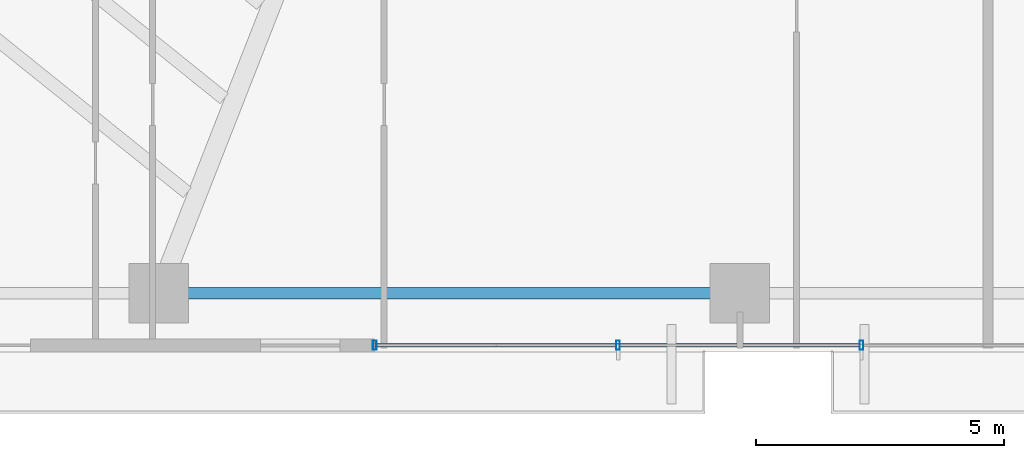
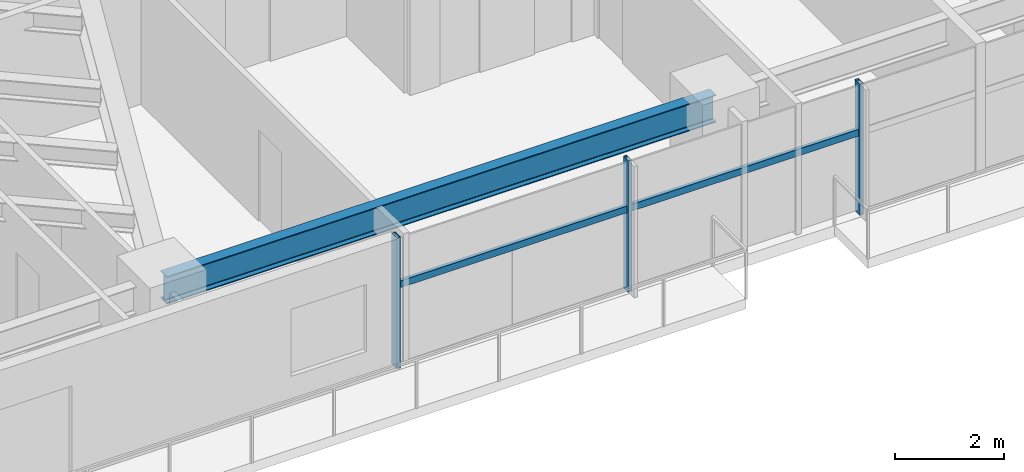
# One storey, part 6 of 25: 5 members, 1 beam, 1 element without a shape of its own.
"""IFC4 building model written with IfcOpenShell, lengths in metres."""

import ifcopenshell
import ifcopenshell.guid

model = None  # the IFC model being written
_history = None  # IfcOwnerHistory: only IFC2X3 demands one
_inside = {}  # id of a spatial element -> (the spatial element, [elements in it])
_under = {}  # id of a project, library or spatial element -> (it, [spatial elements below it])
_declared = {}  # id of a project -> (the project, [libraries it declares])
_typed = {}  # id of a type object -> (the type object, [elements of that type])
_made_of = {}  # id of a material, layer set ... -> (it, [elements and type objects made of it])


def new_model(schema):
    """Start an empty IFC model of exactly this schema.

    Asked for "IFC4X3", IfcOpenShell would pick the latest addendum, in which some entities
    have other attributes; the version numbers below select the first issue.
    IFC2X3 requires an IfcOwnerHistory on every rooted entity: one is made here for all.
    """
    global model, _history
    if schema == "IFC4X3":
        model = ifcopenshell.file(schema_version=(4, 3, 0, 0))
    else:
        model = ifcopenshell.file(schema=schema)
    _inside.clear()
    _under.clear()
    _declared.clear()
    _typed.clear()
    _made_of.clear()
    _history = None
    if model.schema == "IFC2X3":
        org = make("IfcOrganization", Name="unknown")
        user = make(
            "IfcPersonAndOrganization",
            ThePerson=make("IfcPerson", FamilyName="unknown"),
            TheOrganization=org,
        )
        app = make(
            "IfcApplication",
            ApplicationDeveloper=org,
            Version="unknown",
            ApplicationFullName="unknown",
            ApplicationIdentifier="unknown",
        )
        _history = make(
            "IfcOwnerHistory",
            OwningUser=user,
            OwningApplication=app,
            ChangeAction="ADDED",
            CreationDate=0,
        )
    return model


def make(cls, **values):
    """One entity of the class cls with the attributes given. An attribute that is None is left unset."""
    return model.create_entity(
        cls, **{name: value for name, value in values.items() if value is not None}
    )


def rooted(cls, **values):
    """An entity with a GlobalId (a new one), such as an element, a storey or a relation."""
    return make(cls, GlobalId=ifcopenshell.guid.new(), OwnerHistory=_history, **values)


def si_unit(unit_type, name, prefix=None):
    """IfcSIUnit, for example si_unit("LENGTHUNIT", "METRE", prefix="MILLI")."""
    return make("IfcSIUnit", UnitType=unit_type, Prefix=prefix, Name=name)


def assignment(units):
    """IfcUnitAssignment: the units of a project."""
    return None if units is None else make("IfcUnitAssignment", Units=units)


def point(xyz):
    """IfcCartesianPoint."""
    return None if xyz is None else make("IfcCartesianPoint", Coordinates=xyz)


def direction(xyz):
    """IfcDirection."""
    return None if xyz is None else make("IfcDirection", DirectionRatios=xyz)


def frame(location, z_axis=None, x_axis=None):
    """IfcAxis2Placement3D, a coordinate frame: its origin and axes. An axis left out is left unset."""
    return make(
        "IfcAxis2Placement3D",
        Location=point(location),
        Axis=direction(z_axis),
        RefDirection=direction(x_axis),
    )


def frame_2d(location, x_axis=None):
    """IfcAxis2Placement2D, a coordinate frame in the plane: its origin and x axis."""
    return make(
        "IfcAxis2Placement2D", Location=point(location), RefDirection=direction(x_axis)
    )


def origin():
    """The frame at (0, 0, 0) with its axes left unset."""
    return frame((0.0, 0.0, 0.0))


def origin_2d():
    """The frame at (0, 0) in the plane with its x axis left unset."""
    return frame_2d((0.0, 0.0))


def place(relative_to, where):
    """IfcLocalPlacement: puts the frame where relative to a parent placement (None: the world)."""
    return make(
        "IfcLocalPlacement", PlacementRelTo=relative_to, RelativePlacement=where
    )


def context(
    kind, dimensions, precision=None, world=None, true_north=None, identifier=None
):
    """IfcGeometricRepresentationContext, for example the 3D "Model" context."""
    return make(
        "IfcGeometricRepresentationContext",
        ContextIdentifier=identifier,
        ContextType=kind,
        CoordinateSpaceDimension=dimensions,
        Precision=precision,
        WorldCoordinateSystem=world,
        TrueNorth=true_north,
    )


def subcontext(parent, identifier, kind, view, scale=None):
    """IfcGeometricRepresentationSubContext, for example "Body" below "Model"."""
    return make(
        "IfcGeometricRepresentationSubContext",
        ContextIdentifier=identifier,
        ContextType=kind,
        ParentContext=parent,
        TargetScale=scale,
        TargetView=view,
    )


def project(units=None, contexts=None):
    """IfcProject with its units and contexts."""
    return rooted(
        "IfcProject",
        Name="project",
        RepresentationContexts=contexts,
        UnitsInContext=assignment(units),
    )


def spatial(cls, under=None, at=None, **own):
    """A site, building, storey or space (cls), placed at a placement, below another one or the project."""
    s = rooted(cls, ObjectPlacement=at, **own)
    if under is not None:
        _under.setdefault(under.id(), (under, []))[1].append(s)
    return s


def profile(cls, at=None, kind="AREA", **sizes):
    """A parametric profile (cls). Its sizes go by their IFC names, for example OverallWidth=200.0."""
    return make(cls, ProfileType=kind, Position=at, **sizes)


def hollow_rectangle(**sizes):
    """IfcRectangleHollowProfileDef."""
    return profile("IfcRectangleHollowProfileDef", **sizes)


def i_section(**sizes):
    """IfcIShapeProfileDef."""
    return profile("IfcIShapeProfileDef", **sizes)


def extrude(swept, where, along, depth):
    """IfcExtrudedAreaSolid: the profile swept, set in the frame where, extruded along a direction by depth."""
    return make(
        "IfcExtrudedAreaSolid",
        SweptArea=swept,
        Position=where,
        ExtrudedDirection=direction(along),
        Depth=depth,
    )


def shape(context_of_items, identifier, shape_type, items):
    """IfcShapeRepresentation: the items that make up one representation, for example the "Body"."""
    return make(
        "IfcShapeRepresentation",
        ContextOfItems=context_of_items,
        RepresentationIdentifier=identifier,
        RepresentationType=shape_type,
        Items=items,
    )


def source(mapping_origin, context_of_items, identifier, shape_type, items):
    """IfcRepresentationMap: a shape defined once, which mapped items show again and again."""
    return make(
        "IfcRepresentationMap",
        MappingOrigin=mapping_origin,
        MappedRepresentation=shape(context_of_items, identifier, shape_type, items),
    )


def transform(
    local_origin,
    x_axis=None,
    y_axis=None,
    z_axis=None,
    scale=None,
    scale2=None,
    scale3=None,
    uniform=True,
):
    """IfcCartesianTransformationOperator3D, or its non-uniform kind. x_axis, y_axis, z_axis: its Axis1, 2, 3."""
    if uniform:
        return make(
            "IfcCartesianTransformationOperator3D",
            Axis1=direction(x_axis),
            Axis2=direction(y_axis),
            LocalOrigin=point(local_origin),
            Scale=scale,
            Axis3=direction(z_axis),
        )
    return make(
        "IfcCartesianTransformationOperator3DnonUniform",
        Axis1=direction(x_axis),
        Axis2=direction(y_axis),
        LocalOrigin=point(local_origin),
        Scale=scale,
        Axis3=direction(z_axis),
        Scale2=scale2,
        Scale3=scale3,
    )


def mapped(mapping_source, mapping_target):
    """IfcMappedItem: shows the shape of a source again, moved by a transform."""
    return make(
        "IfcMappedItem", MappingSource=mapping_source, MappingTarget=mapping_target
    )


def material(Name=None, Category=None):
    """IfcMaterial."""
    return make("IfcMaterial", Name=Name, Category=Category)


def material_profile(
    of_material, cross_section, Name=None, Category=None, Priority=None
):
    """IfcMaterialProfile: a cross section and its material."""
    return make(
        "IfcMaterialProfile",
        Name=Name,
        Material=of_material,
        Profile=cross_section,
        Priority=Priority,
        Category=Category,
    )


def profile_set(profiles, Name=None, composite=None):
    """IfcMaterialProfileSet."""
    return make(
        "IfcMaterialProfileSet",
        Name=Name,
        MaterialProfiles=profiles,
        CompositeProfile=composite,
    )


def made_of(thing, what):
    """Note that an element or type object is made of a material, layer set ...; save() writes the relation."""
    if what is not None:
        _made_of.setdefault(what.id(), (what, []))[1].append(thing)
    return thing


def type_object(cls, material=None, **own):
    """A type object (cls), such as IfcWallType, which elements share."""
    return made_of(rooted(cls, **own), material)


def type_shapes(of_type, sources):
    """Give a type object the sources (RepresentationMaps) that its elements show as mapped items."""
    of_type.RepresentationMaps = sources


def element(
    cls,
    number,
    at=None,
    inside=None,
    cuts=None,
    type_object=None,
    material=None,
    context=None,
    identifier="Body",
    shape_type=None,
    held_by="IfcProductDefinitionShape",
    body=None,
    shapes=None,
    **own,
):
    """One element of the class cls, such as IfcWall. Its Tag is "e" and its number.

    at: its placement. inside: the storey or other place that contains it. cuts: it is an
    opening in that element (IfcRelVoidsElement). A single representation is given by context,
    identifier, shape_type and body (its items); several are given by shapes. held_by: the class
    of the entity that holds the representations. save() writes the other relations.
    """
    e = rooted(cls, Tag="e%d" % number, ObjectPlacement=at, **own)
    if body is not None:
        shapes = [shape(context, identifier, shape_type, body)]
    if shapes is not None:
        e.Representation = make(held_by, Representations=shapes)
    if inside is not None:
        _inside.setdefault(inside.id(), (inside, []))[1].append(e)
    if cuts is not None:
        rooted(
            "IfcRelVoidsElement", RelatingBuildingElement=cuts, RelatedOpeningElement=e
        )
    if type_object is not None:
        _typed.setdefault(type_object.id(), (type_object, []))[1].append(e)
    return made_of(e, material)


def aggregate(whole, parts):
    """IfcRelAggregates: a whole, such as a stair, and the parts it consists of."""
    return rooted("IfcRelAggregates", RelatingObject=whole, RelatedObjects=parts)


def save(model, path):
    """Write the relations noted so far, then the file.

    IfcRelAggregates (storeys below a building ...), IfcRelContainedInSpatialStructure (elements
    in a storey), IfcRelDefinesByType, IfcRelAssociatesMaterial and IfcRelDeclares: one each for
    every whole, place, type object, material and project.
    """
    for whole, parts in _under.values():
        aggregate(whole, parts)
    for where, things in _inside.values():
        rooted(
            "IfcRelContainedInSpatialStructure",
            RelatedElements=things,
            RelatingStructure=where,
        )
    for kind, things in _typed.values():
        rooted("IfcRelDefinesByType", RelatedObjects=things, RelatingType=kind)
    for what, things in _made_of.values():
        rooted("IfcRelAssociatesMaterial", RelatedObjects=things, RelatingMaterial=what)
    for by, libraries in _declared.values():
        rooted("IfcRelDeclares", RelatingContext=by, RelatedDefinitions=libraries)
    model.write(path)


model = new_model("IFC4")

# Units and contexts
model_context = context("Model", 3, precision=1e-05, world=origin(), true_north=direction((0.0, 1.0)))
body_context = subcontext(model_context, "Body", "Model", "MODEL_VIEW")
ifc_project = project(units=[si_unit("LENGTHUNIT", "METRE"), si_unit("AREAUNIT", "SQUARE_METRE"), si_unit("VOLUMEUNIT", "CUBIC_METRE"), si_unit("PLANEANGLEUNIT", "RADIAN"), si_unit("MASSUNIT", "GRAM", prefix="KILO")], contexts=[model_context])

# Site, building, storey
site_placement = place(None, origin())
site = spatial("IfcSite", under=ifc_project, at=site_placement, CompositionType="ELEMENT")
building_placement = place(site_placement, origin())
building = spatial("IfcBuilding", under=site, at=building_placement, Name="Astriad Promenade Condominiums", CompositionType="ELEMENT")
storey_placement = place(building_placement, frame((0.0, 0.0, 32.60009765625)))
storey = spatial("IfcBuildingStorey", under=building, at=storey_placement, Name="L08", CompositionType="ELEMENT", Elevation=32.60009765625)

# Beam
ifc_material_1 = material(Name="Steel ASTM A992 Grade 50", Category="steel")
ifc_material_profile_1 = material_profile(ifc_material_1, i_section(OverallWidth=0.22900390625, OverallDepth=0.612060546875, WebThickness=0.011962890625, FlangeThickness=0.01953125, FilletRadius=0.017822265625, at=origin_2d()), Name="W24X84")
ifc_profile_set_1 = profile_set([ifc_material_profile_1], Name="Steel ASTM A992 Grade 50")
beam_type = type_object("IfcBeamType", Name="STEEL SPANDREL BEAM W24X84", PredefinedType="SPANDREL", material=ifc_profile_set_1)
shared_shape_1 = source(origin(), body_context, "Body", "SweptSolid", [
    extrude(i_section(OverallWidth=0.22900390625, OverallDepth=0.612060546875, WebThickness=0.011962890625, FlangeThickness=0.01953125, FilletRadius=0.017822265625, at=origin_2d()), origin(), (0.0, 0.0, 1.0), 11.6201171875),
])
type_shapes(beam_type, [shared_shape_1])
beam_placement = place(storey_placement, frame((21.139892578125, 3.8798828125, 2.6337890625), z_axis=(1.0, 0.0, 0.0), x_axis=(0.0, 1.0, 0.0)))
element("IfcBeam", 1, at=beam_placement, inside=storey, type_object=beam_type, Name="Perimeter Spandrel Beam SP-S2-L08", PredefinedType="SPANDREL", context=body_context, shape_type="MappedRepresentation", body=[
    mapped(shared_shape_1, transform((0.0, 0.0, 0.0), scale=1.0)),
])

# Curtain wall, members
ifc_material_2 = material(Name="Anodised aluminium Black Dark Glass Unitised", Category="aluminium")
curtain_wall_type = type_object("IfcCurtainWallType", Name="CW-B1-DARK", PredefinedType="USERDEFINED", material=ifc_material_2)
curtain_wall_placement = place(storey_placement, origin())
curtain_wall = element("IfcCurtainWall", 2, at=curtain_wall_placement, inside=storey, type_object=curtain_wall_type, Name="CW-L08-S", ObjectType="UNITISED_CURTAIN_WALL", PredefinedType="USERDEFINED")
ifc_material_3 = material(Name="Anodised aluminium 6063-T6 Black", Category="aluminium")
ifc_material_profile_2 = material_profile(ifc_material_3, hollow_rectangle(XDim=0.074951171875, YDim=0.18505859375, WallThickness=0.00439453125, at=origin_2d()), Name="ALU-MUL-75X185")
ifc_profile_set_2 = profile_set([ifc_material_profile_2], Name="Anodised aluminium 6063-T6 Black")
member_type_1 = type_object("IfcMemberType", Name="MUL-ALU-MUL-75X185", PredefinedType="MULLION", material=ifc_profile_set_2)
shared_shape_2 = source(origin(), body_context, "Body", "SweptSolid", [
    extrude(hollow_rectangle(XDim=0.074951171875, YDim=0.18505859375, WallThickness=0.00439453125, at=origin_2d()), origin(), (0.0, 0.0, 1.0), 2.93994140625),
])
type_shapes(member_type_1, [shared_shape_2])
member_1_placement = place(storey_placement, frame((35.25, 2.830078125, 0.0), z_axis=(0.0, 0.0, 1.0), x_axis=(1.0, 0.0, 0.0)))
member_1 = element("IfcMember", 3, at=member_1_placement, type_object=member_type_1, Name="CW-L08-S-MUL-01", PredefinedType="MULLION", context=body_context, shape_type="MappedRepresentation", body=[
    mapped(shared_shape_2, transform((0.0, 0.0, 0.0), scale=1.0)),
])
member_2_placement = place(storey_placement, frame((30.35009765625, 2.830078125, 0.0), z_axis=(0.0, 0.0, 1.0), x_axis=(1.0, 0.0, 0.0)))
member_2 = element("IfcMember", 4, at=member_2_placement, type_object=member_type_1, Name="CW-L08-S-MUL-02", PredefinedType="MULLION", context=body_context, shape_type="MappedRepresentation", body=[
    mapped(shared_shape_2, transform((0.0, 0.0, 0.0), scale=1.0)),
])
member_3_placement = place(storey_placement, frame((25.449951171875, 2.830078125, 0.0), z_axis=(0.0, 0.0, 1.0), x_axis=(1.0, 0.0, 0.0)))
member_3 = element("IfcMember", 5, at=member_3_placement, type_object=member_type_1, Name="CW-L08-S-MUL-03", PredefinedType="MULLION", context=body_context, shape_type="MappedRepresentation", body=[
    mapped(shared_shape_2, transform((0.0, 0.0, 0.0), scale=1.0)),
])
ifc_material_profile_3 = material_profile(ifc_material_3, hollow_rectangle(XDim=0.074951171875, YDim=0.14990234375, WallThickness=0.004150390625, at=origin_2d()), Name="ALU-TRN-75X150")
ifc_profile_set_3 = profile_set([ifc_material_profile_3], Name="Anodised aluminium 6063-T6 Black")
member_type_2 = type_object("IfcMemberType", Name="TRN-ALU-TRN-75X150", PredefinedType="USERDEFINED", material=ifc_profile_set_3)
shared_shape_3 = source(origin(), body_context, "Body", "SweptSolid", [
    extrude(hollow_rectangle(XDim=0.074951171875, YDim=0.14990234375, WallThickness=0.004150390625, at=origin_2d()), origin(), (0.0, 0.0, 1.0), 4.900146484375),
])
member_4_placement = place(storey_placement, frame((30.35009765625, 2.830078125, 1.82275390625), z_axis=(-1.0, 0.0, 0.0), x_axis=(0.0, -1.0, 0.0)))
member_4 = element("IfcMember", 6, at=member_4_placement, type_object=member_type_2, Name="CW-L08-S-TRN-02-0", ObjectType="TRANSOM", PredefinedType="USERDEFINED", context=body_context, shape_type="MappedRepresentation", body=[
    mapped(shared_shape_3, transform((0.0, 0.0, 0.0), scale=1.0)),
])
shared_shape_4 = source(origin(), body_context, "Body", "SweptSolid", [
    extrude(hollow_rectangle(XDim=0.074951171875, YDim=0.14990234375, WallThickness=0.004150390625, at=origin_2d()), origin(), (0.0, 0.0, 1.0), 4.89990234375),
])
type_shapes(member_type_2, [shared_shape_3, shared_shape_4])
member_5_placement = place(storey_placement, frame((35.25, 2.830078125, 1.82275390625), z_axis=(-1.0, 0.0, 0.0), x_axis=(0.0, -1.0, 0.0)))
member_5 = element("IfcMember", 7, at=member_5_placement, type_object=member_type_2, Name="CW-L08-S-TRN-01-0", ObjectType="TRANSOM", PredefinedType="USERDEFINED", context=body_context, shape_type="MappedRepresentation", body=[
    mapped(shared_shape_4, transform((0.0, 0.0, 0.0), scale=1.0)),
])
aggregate(curtain_wall, [member_1, member_2, member_3, member_5, member_4])

save(model, "model.ifc")
